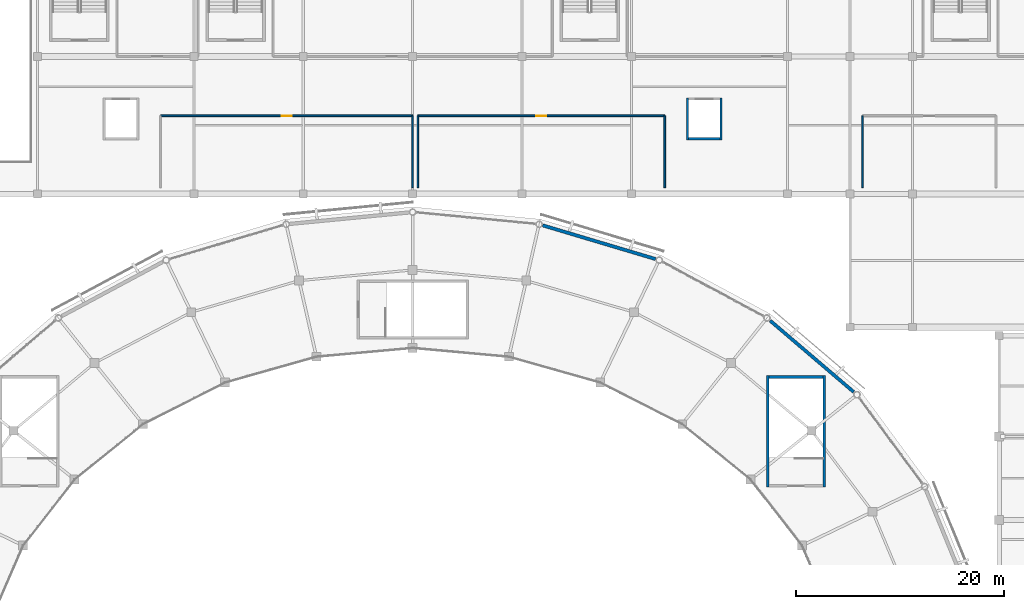
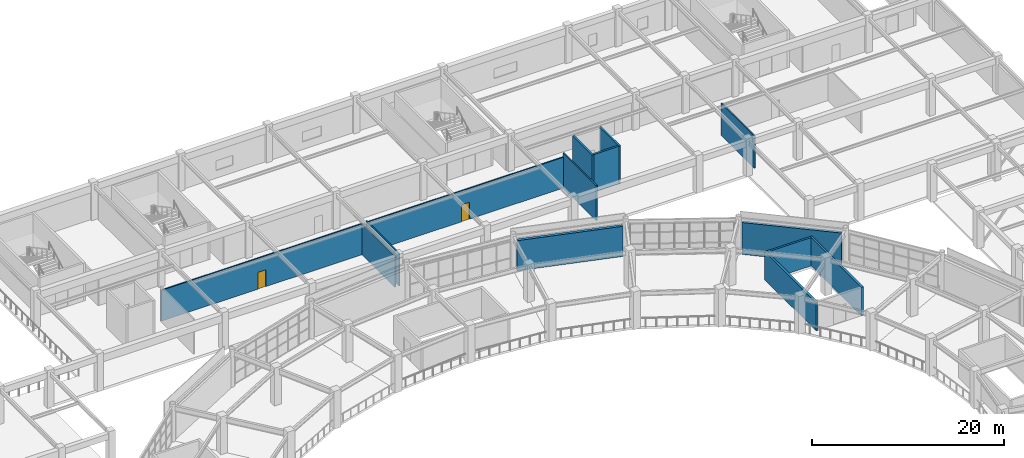
# One storey, part 86 of 112: 14 walls, 2 doors, 2 openings.
"""IFC4 building model written with IfcOpenShell, lengths in metres."""

from ifc_helpers import new_model, si_unit, direction, frame, frame_2d, origin, place, context, subcontext, project, spatial, rectangle, extrude, material, layer, layer_set, type_object, element, fill, save


model = new_model("IFC4")

# Units and contexts
model_context = context("Model", 3, precision=1e-05, world=origin(), true_north=direction((0.0, 1.0)))
body_context = subcontext(model_context, "Body", "Model", "MODEL_VIEW")
ifc_project = project(units=[si_unit("LENGTHUNIT", "METRE"), si_unit("AREAUNIT", "SQUARE_METRE"), si_unit("VOLUMEUNIT", "CUBIC_METRE"), si_unit("PLANEANGLEUNIT", "RADIAN"), si_unit("MASSUNIT", "GRAM", prefix="KILO")], contexts=[model_context])

# Site, building, storey
site_placement = place(None, origin())
site = spatial("IfcSite", under=ifc_project, at=site_placement, CompositionType="ELEMENT")
building_placement = place(site_placement, origin())
building = spatial("IfcBuilding", under=site, at=building_placement, Name="Cuetzalor Civic Arena", CompositionType="ELEMENT")
storey_placement = place(building_placement, frame((0.0, 0.0, 11.39990234375)))
storey = spatial("IfcBuildingStorey", under=building, at=storey_placement, Name="L02", CompositionType="ELEMENT", Elevation=11.39990234375)

# Wall
ifc_material_1 = material(Name="Acoustic steel-stud gypsum partition", Category="steel")
ifc_layer_1 = layer(ifc_material_1, 0.14990234375)
ifc_layer_set_1 = layer_set([ifc_layer_1], Name="Acoustic steel-stud gypsum partition")
wall_type_1 = type_object("IfcWallType", Name="AcousticGypsumPartition_150", PredefinedType="PARTITIONING", material=ifc_layer_set_1)
wall_1_placement = place(storey_placement, frame((43.199951171875, 48.89990234375, 0.0), z_axis=(0.0, 0.0, 1.0), x_axis=(0.0, 1.0, 0.0)))
element("IfcWall", 1, at=wall_1_placement, inside=storey, type_object=wall_type_1, Name="Interior Partition IWALL:L02:0377", PredefinedType="PARTITIONING", context=body_context, shape_type="SweptSolid", body=[
    extrude(rectangle(XDim=6.900146484375, YDim=0.14990234375, at=frame_2d((3.4501953125, 0.0))), origin(), (0.0, 0.0, 1.0), 4.10009765625),
])

# Wall, opening, door
wall_2_placement = place(storey_placement, frame((-24.199951171875, 55.800048828125, 0.0), z_axis=(0.0, 0.0, 1.0), x_axis=(1.0, 0.0, 0.0)))
wall_2 = element("IfcWall", 2, at=wall_2_placement, inside=storey, type_object=wall_type_1, Name="Interior Partition IWALL:L02:0379", PredefinedType="PARTITIONING", context=body_context, shape_type="SweptSolid", body=[
    extrude(rectangle(XDim=24.199951171875, YDim=0.14990234375, at=frame_2d((12.10009765625, 0.0))), origin(), (0.0, 0.0, 1.0), 3.922119140625),
])
opening_1_placement = place(wall_2_placement, frame((11.625, 0.0, 0.0)))
opening_1 = element("IfcOpeningElement", 3, at=opening_1_placement, cuts=wall_2, Name="Opening ID-03", PredefinedType="OPENING", context=body_context, shape_type="SweptSolid", body=[
    extrude(rectangle(XDim=0.949951171875, YDim=2.14990234375, at=frame_2d((0.47509765625, 1.074951171875))), frame((0.0, 0.0849609375, 0.0), z_axis=(0.0, -1.0, 0.0), x_axis=(1.0, 0.0, 0.0)), (0.0, 0.0, 1.0), 0.169921875),
])
ifc_material_2 = material(Name="Painted steel frame and solid timber leaf", Category="steel")
door_type = type_object("IfcDoorType", Name="InteriorSingleDoor_950x2150", OperationType="NOTDEFINED", PredefinedType="DOOR", material=ifc_material_2)
door_1_placement = place(opening_1_placement, origin())
door_1 = element("IfcDoor", 4, at=door_1_placement, inside=storey, type_object=door_type, Name="Door to Event Management Boardroom", OperationType="SINGLE_SWING_LEFT", OverallHeight=2.14990234375, OverallWidth=0.949951171875, PredefinedType="DOOR", context=body_context, shape_type="SweptSolid", body=[
    extrude(rectangle(XDim=0.949951171875, YDim=2.14990234375, at=frame_2d((0.47509765625, 1.074951171875))), frame((0.0, 0.02490234375, 0.0), z_axis=(0.0, -1.0, 0.0), x_axis=(1.0, 0.0, 0.0)), (0.0, 0.0, 1.0), 0.050048828125),
])
fill(opening_1, door_1)

# Wall
wall_3_placement = place(storey_placement, frame((0.0, 55.800048828125, 0.0), z_axis=(0.0, 0.0, 1.0), x_axis=(0.0, -1.0, 0.0)))
element("IfcWall", 5, at=wall_3_placement, inside=storey, type_object=wall_type_1, Name="Interior Partition IWALL:L02:0380", PredefinedType="PARTITIONING", context=body_context, shape_type="SweptSolid", body=[
    extrude(rectangle(XDim=6.900146484375, YDim=0.14990234375, at=frame_2d((3.4501953125, 0.0))), origin(), (0.0, 0.0, 1.0), 3.922119140625),
])

# Wall, opening, door
wall_4_placement = place(storey_placement, frame((0.5, 55.800048828125, 0.0), z_axis=(0.0, 0.0, 1.0), x_axis=(1.0, 0.0, 0.0)))
wall_4 = element("IfcWall", 6, at=wall_4_placement, inside=storey, type_object=wall_type_1, Name="Interior Partition IWALL:L02:0382", PredefinedType="PARTITIONING", context=body_context, shape_type="SweptSolid", body=[
    extrude(rectangle(XDim=23.699951171875, YDim=0.14990234375, at=frame_2d((11.85009765625, 0.0))), origin(), (0.0, 0.0, 1.0), 3.922119140625),
])
opening_2_placement = place(wall_4_placement, frame((11.375, 0.0, 0.0)))
opening_2 = element("IfcOpeningElement", 7, at=opening_2_placement, cuts=wall_4, Name="Opening ID-03", PredefinedType="OPENING", context=body_context, shape_type="SweptSolid", body=[
    extrude(rectangle(XDim=0.949951171875, YDim=2.14990234375, at=frame_2d((0.47509765625, 1.074951171875))), frame((0.0, 0.0849609375, 0.0), z_axis=(0.0, -1.0, 0.0), x_axis=(1.0, 0.0, 0.0)), (0.0, 0.0, 1.0), 0.169921875),
])
door_2_placement = place(opening_2_placement, origin())
door_2 = element("IfcDoor", 8, at=door_2_placement, inside=storey, type_object=door_type, Name="Door to Staff Canteen and Welfare Hall", OperationType="SINGLE_SWING_RIGHT", OverallHeight=2.14990234375, OverallWidth=0.949951171875, PredefinedType="DOOR", context=body_context, shape_type="SweptSolid", body=[
    extrude(rectangle(XDim=0.949951171875, YDim=2.14990234375, at=frame_2d((0.47509765625, 1.074951171875))), frame((0.0, 0.02490234375, 0.0), z_axis=(0.0, -1.0, 0.0), x_axis=(1.0, 0.0, 0.0)), (0.0, 0.0, 1.0), 0.050048828125),
])
fill(opening_2, door_2)

# Walls
wall_5_placement = place(storey_placement, frame((24.199951171875, 55.800048828125, 0.0), z_axis=(0.0, 0.0, 1.0), x_axis=(0.0, -1.0, 0.0)))
element("IfcWall", 9, at=wall_5_placement, inside=storey, type_object=wall_type_1, Name="Interior Partition IWALL:L02:0383", PredefinedType="PARTITIONING", context=body_context, shape_type="SweptSolid", body=[
    extrude(rectangle(XDim=6.900146484375, YDim=0.14990234375, at=frame_2d((3.4501953125, 0.0))), origin(), (0.0, 0.0, 1.0), 4.440185546875),
])
wall_6_placement = place(storey_placement, frame((0.5, 48.89990234375, 0.0), z_axis=(0.0, 0.0, 1.0), x_axis=(0.0, 1.0, 0.0)))
element("IfcWall", 10, at=wall_6_placement, inside=storey, type_object=wall_type_1, Name="Interior Partition IWALL:L02:0384", PredefinedType="PARTITIONING", context=body_context, shape_type="SweptSolid", body=[
    extrude(rectangle(XDim=6.900146484375, YDim=0.14990234375, at=frame_2d((3.4501953125, 0.0))), origin(), (0.0, 0.0, 1.0), 4.10009765625),
])
ifc_material_3 = material(Name="Concrete C40/50", Category="concrete")
ifc_layer_2 = layer(ifc_material_3, 0.25)
ifc_layer_set_2 = layer_set([ifc_layer_2], Name="Concrete C40/50")
wall_type_2 = type_object("IfcWallType", Name="ConcreteCoreShearWall_250", PredefinedType="SHEAR", material=ifc_layer_set_2)
wall_7_placement = place(storey_placement, frame((34.074951171875, 20.14990234375, 0.0), z_axis=(0.0, 0.0, 1.0), x_axis=(0.0, 1.0, 0.0)))
element("IfcWall", 11, at=wall_7_placement, inside=storey, type_object=wall_type_2, Name="Stair Core Shear Wall ST-02-L02-W", PredefinedType="SHEAR", context=body_context, shape_type="SweptSolid", body=[
    extrude(rectangle(XDim=10.7001953125, YDim=0.25, at=frame_2d((5.35009765625, 0.0))), origin(), (0.0, 0.0, 1.0), 3.60009765625),
])
wall_8_placement = place(storey_placement, frame((34.199951171875, 30.72509765625, 0.0), z_axis=(0.0, 0.0, 1.0), x_axis=(1.0, 0.0, 0.0)))
element("IfcWall", 12, at=wall_8_placement, inside=storey, type_object=wall_type_2, Name="Stair Core Shear Wall ST-02-L02-N", PredefinedType="SHEAR", context=body_context, shape_type="SweptSolid", body=[
    extrude(rectangle(XDim=5.199951171875, YDim=0.25, at=frame_2d((2.60009765625, 0.0))), origin(), (0.0, 0.0, 1.0), 3.60009765625),
])
wall_9_placement = place(storey_placement, frame((39.52490234375, 30.85009765625, 0.0), z_axis=(0.0, 0.0, 1.0), x_axis=(0.0, -1.0, 0.0)))
element("IfcWall", 13, at=wall_9_placement, inside=storey, type_object=wall_type_2, Name="Stair Core Shear Wall ST-02-L02-E", PredefinedType="SHEAR", context=body_context, shape_type="SweptSolid", body=[
    extrude(rectangle(XDim=10.7001953125, YDim=0.25, at=frame_2d((5.35009765625, 0.0))), origin(), (0.0, 0.0, 1.0), 3.60009765625),
])
ifc_material_4 = material(Name="Precast concrete C40/50 insulated cladding", Category="concrete")
ifc_layer_3 = layer(ifc_material_4, 0.320068359375)
ifc_layer_set_3 = layer_set([ifc_layer_3], Name="Precast concrete C40/50 insulated cladding")
wall_type_3 = type_object("IfcWallType", Name="InsulatedPrecastWall_320", PredefinedType="SOLIDWALL", material=ifc_layer_set_3)
wall_10_placement = place(storey_placement, frame((34.32470703125, 36.126953125, 0.0), z_axis=(0.0, 0.0, 1.0), x_axis=(0.760681761173, -0.649124994296, 0.0)))
element("IfcWall", 14, at=wall_10_placement, inside=storey, type_object=wall_type_3, Name="Drum Acoustic Backing Wall L02-027", PredefinedType="SOLIDWALL", context=body_context, shape_type="SweptSolid", body=[
    extrude(rectangle(XDim=10.531005859375, YDim=0.320068359375, at=frame_2d((5.265625, 0.0))), origin(), (0.0, 0.0, 1.0), 4.052978515625),
])
wall_11_placement = place(storey_placement, frame((12.48486328125, 45.279541015625, 0.0), z_axis=(0.0, 0.0, 1.0), x_axis=(0.958192076012, -0.286125751144, 0.0)))
element("IfcWall", 15, at=wall_11_placement, inside=storey, type_object=wall_type_3, Name="Drum Acoustic Backing Wall L02-028", PredefinedType="SOLIDWALL", context=body_context, shape_type="SweptSolid", body=[
    extrude(rectangle(XDim=11.31005859375, YDim=0.320068359375, at=frame_2d((5.655029296875, 0.0))), origin(), (0.0, 0.0, 1.0), 3.83203125),
])
ifc_material_5 = material(Name="Concrete C40/50", Category="concrete")
ifc_layer_4 = layer(ifc_material_5, 0.219970703125)
ifc_layer_set_4 = layer_set([ifc_layer_4], Name="Concrete C40/50")
wall_type_4 = type_object("IfcWallType", Name="LiftShaftShearWall_220", PredefinedType="SHEAR", material=ifc_layer_set_4)
for number, where, z_axis, x_axis, name in (
    (16, (26.389892578125, 53.47998046875, 0.0), (0.0, 0.0, 1.0), (0.0, 1.0, 0.0), "Lift Shaft Wall LS-02-L02-W"),
    (17, (29.610107421875, 57.52001953125, 0.0), (0.0, 0.0, 1.0), (0.0, -1.0, 0.0), "Lift Shaft Wall LS-02-L02-E"),
):
    element("IfcWall", number, at=place(storey_placement, frame(where, z_axis=z_axis, x_axis=x_axis)), inside=storey, type_object=wall_type_4, Name=name, PredefinedType="SHEAR", context=body_context, shape_type="SweptSolid", body=[
        extrude(rectangle(XDim=4.0400390625, YDim=0.219970703125, at=frame_2d((2.02001953125, 0.0))), origin(), (0.0, 0.0, 1.0), 4.800048828125),
    ])
wall_12_placement = place(storey_placement, frame((29.5, 53.590087890625, 0.0), z_axis=(0.0, 0.0, 1.0), x_axis=(-1.0, 0.0, 0.0)))
element("IfcWall", 18, at=wall_12_placement, inside=storey, type_object=wall_type_4, Name="Lift Shaft Wall LS-02-L02-S", PredefinedType="SHEAR", context=body_context, shape_type="SweptSolid", body=[
    extrude(rectangle(XDim=3.0, YDim=0.219970703125, at=frame_2d((1.5, 0.0))), origin(), (0.0, 0.0, 1.0), 4.800048828125),
])

save(model, "model.ifc")
